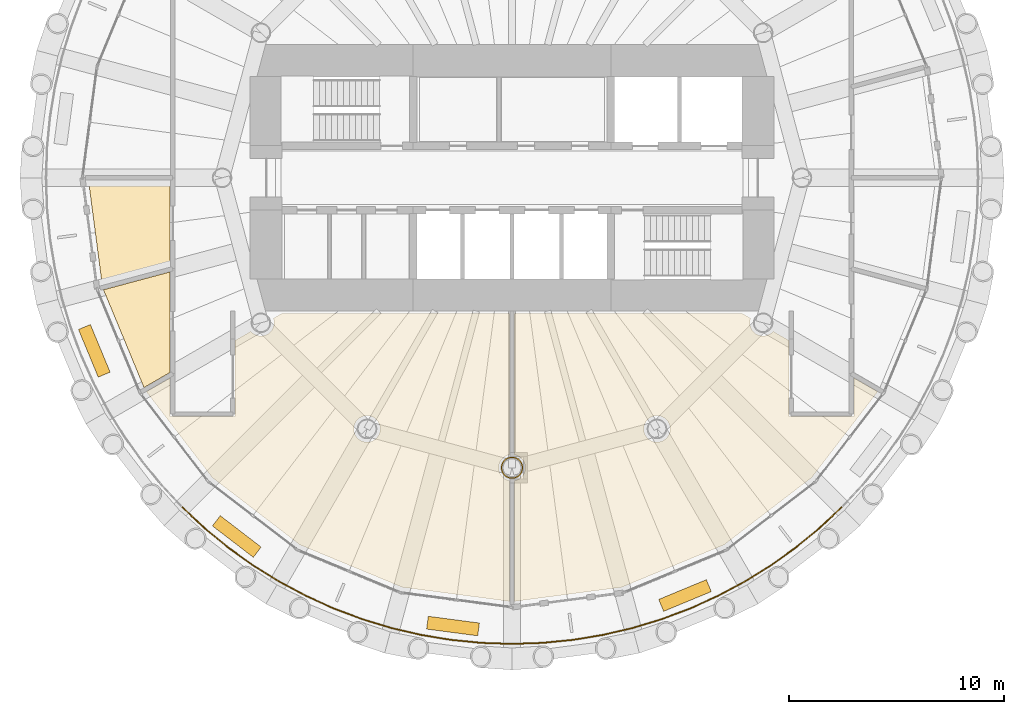
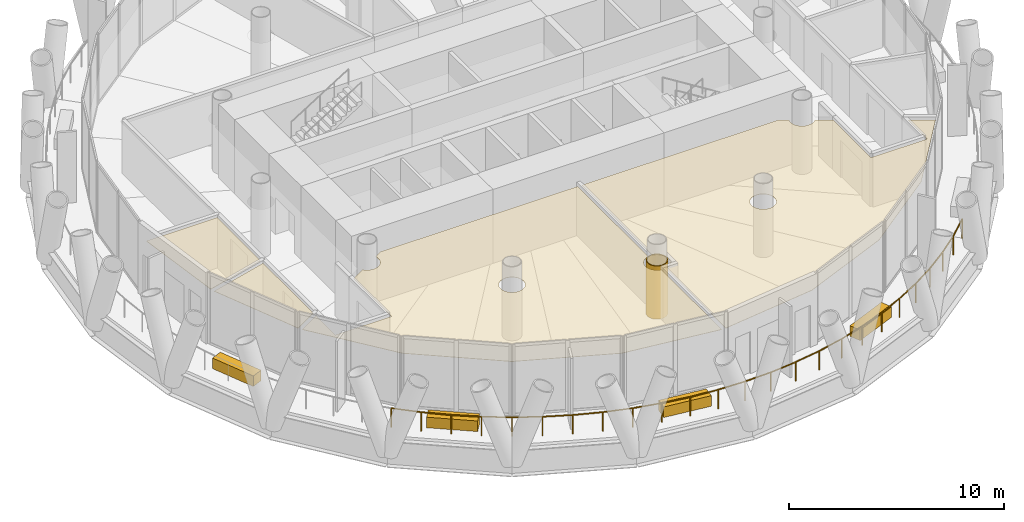
# One storey, part 11 of 13: 9 coverings, 1 railing.
"""IFC4 building model written with IfcOpenShell, lengths in metres."""

from ifc_helpers import new_model, si_unit, direction, frame, origin, origin_2d, place, context, subcontext, project, spatial, polyline, rectangle, circle, outline, extrude, material, layer, layer_set, type_object, element, save


model = new_model("IFC4")

# Units and contexts
model_context = context("Model", 3, precision=1e-05, world=origin(), true_north=direction((0.0, 1.0)))
body_context = subcontext(model_context, "Body", "Model", "MODEL_VIEW")
ifc_project = project(units=[si_unit("LENGTHUNIT", "METRE"), si_unit("AREAUNIT", "SQUARE_METRE"), si_unit("VOLUMEUNIT", "CUBIC_METRE"), si_unit("PLANEANGLEUNIT", "RADIAN"), si_unit("MASSUNIT", "GRAM", prefix="KILO")], contexts=[model_context])

# Site, building, storey
site_placement = place(None, origin())
site = spatial("IfcSite", under=ifc_project, at=site_placement, CompositionType="ELEMENT")
building_placement = place(site_placement, origin())
building = spatial("IfcBuilding", under=site, at=building_placement, Name="Qaws Media Tower", CompositionType="ELEMENT")
storey_placement = place(building_placement, frame((0.0, 0.0, 244.39990234375)))
storey = spatial("IfcBuildingStorey", under=building, at=storey_placement, Name="L56", CompositionType="ELEMENT", Elevation=244.39990234375)

# Railing
ifc_material_1 = material(Name="Stainless steel and glass guard", Category="steel")
railing_type = type_object("IfcRailingType", Name="Balcony guard 1100", PredefinedType="GUARDRAIL", material=ifc_material_1)
railing_placement = place(storey_placement, frame((44.65576171875, 34.65576171875, 0.0)))
element("IfcRailing", 1, at=railing_placement, inside=storey, type_object=railing_type, Name="GR1 balcony guard L56-3", PredefinedType="GUARDRAIL", context=body_context, shape_type="SweptSolid", body=[
    extrude(circle(Radius=0.02392578125, at=origin_2d()), frame((0.0, 0.0, 1.076171875), z_axis=(0.729853467609, -0.683603624785, 0.0), x_axis=(0.683603624785, 0.729853467609, 0.0)), (0.0, 0.0, 1.0), 1.419921875),
    extrude(circle(Radius=0.02392578125, at=origin_2d()), frame((1.036376953125, -0.970703125, 1.076171875), z_axis=(0.772991216558, -0.634416723554, 0.0), x_axis=(0.634416723554, 0.772991216558, 0.0)), (0.0, 0.0, 1.0), 1.419921875),
    extrude(circle(Radius=0.02392578125, at=origin_2d()), frame((2.134033203125, -1.87158203125, 1.076171875), z_axis=(0.812849687149, -0.582473506781, 0.0), x_axis=(0.582473506781, 0.812849687149, 0.0)), (0.0, 0.0, 1.0), 1.420166015625),
    extrude(circle(Radius=0.02392578125, at=origin_2d()), frame((3.288330078125, -2.69873046875, 1.076171875), z_axis=(0.84922281135, -0.528034673751, 0.0), x_axis=(0.528034673751, 0.84922281135, 0.0)), (0.0, 0.0, 1.0), 1.419921875),
    extrude(circle(Radius=0.02392578125, at=origin_2d()), frame((4.494140625, -3.448486328125, 1.076171875), z_axis=(0.881924275223, -0.471391103833, 0.0), x_axis=(0.471391103833, 0.881924275223, 0.0)), (0.0, 0.0, 1.0), 1.420166015625),
    extrude(circle(Radius=0.02392578125, at=origin_2d()), frame((5.74658203125, -4.117919921875, 1.076171875), z_axis=(0.910895658311, -0.412636764807, 0.0), x_axis=(0.412636764807, 0.910895658311, 0.0)), (0.0, 0.0, 1.0), 1.419921875),
    extrude(circle(Radius=0.02392578125, at=origin_2d()), frame((7.0400390625, -4.703857421875, 1.076171875), z_axis=(0.935883258731, -0.352310269546, 0.0), x_axis=(0.352310269546, 0.935883258731, 0.0)), (0.0, 0.0, 1.0), 1.419921875),
    extrude(circle(Radius=0.02392578125, at=origin_2d()), frame((8.368896484375, -5.2041015625, 1.076171875), z_axis=(0.956912997264, -0.290374784833, 0.0), x_axis=(0.290374784833, 0.956912997264, 0.0)), (0.0, 0.0, 1.0), 1.420166015625),
    extrude(circle(Radius=0.02392578125, at=origin_2d()), frame((9.727783203125, -5.616455078125, 1.076171875), z_axis=(0.97391090899, -0.22693069724, 0.0), x_axis=(0.22693069724, 0.97391090899, 0.0)), (0.0, 0.0, 1.0), 1.420166015625),
    extrude(circle(Radius=0.02392578125, at=origin_2d()), frame((11.11083984375, -5.938720703125, 1.076171875), z_axis=(0.986625297851, -0.163004667543, 0.0), x_axis=(0.163004667543, 0.986625297851, 0.0)), (0.0, 0.0, 1.0), 1.419921875),
    extrude(circle(Radius=0.02392578125, at=origin_2d()), frame((12.51171875, -6.170166015625, 1.076171875), z_axis=(0.99518752223, -0.097988752405, 0.0), x_axis=(0.097988752405, 0.99518752223, 0.0)), (0.0, 0.0, 1.0), 1.420166015625),
    extrude(circle(Radius=0.02392578125, at=origin_2d()), frame((13.925048828125, -6.309326171875, 1.076171875), z_axis=(0.999466261228, -0.032667914955, 0.0), x_axis=(0.032667914955, 0.999466261228, 0.0)), (0.0, 0.0, 1.0), 1.419921875),
    extrude(circle(Radius=0.02392578125, at=origin_2d()), frame((15.34423828125, -6.355712890625, 1.076171875), z_axis=(0.999466261228, 0.032667914955, 0.0), x_axis=(-0.032667914955, 0.999466261228, 0.0)), (0.0, 0.0, 1.0), 1.419921875),
    extrude(circle(Radius=0.02392578125, at=origin_2d()), frame((16.763427734375, -6.309326171875, 1.076171875), z_axis=(0.99518752223, 0.097988752405, 0.0), x_axis=(-0.097988752405, 0.99518752223, 0.0)), (0.0, 0.0, 1.0), 1.420166015625),
    extrude(circle(Radius=0.02392578125, at=origin_2d()), frame((18.1767578125, -6.170166015625, 1.076171875), z_axis=(0.986625297851, 0.163004667543, 0.0), x_axis=(-0.163004667543, 0.986625297851, 0.0)), (0.0, 0.0, 1.0), 1.419921875),
    extrude(circle(Radius=0.02392578125, at=origin_2d()), frame((19.57763671875, -5.938720703125, 1.076171875), z_axis=(0.97391090899, 0.22693069724, 0.0), x_axis=(-0.22693069724, 0.97391090899, 0.0)), (0.0, 0.0, 1.0), 1.420166015625),
    extrude(circle(Radius=0.02392578125, at=origin_2d()), frame((20.960693359375, -5.616455078125, 1.076171875), z_axis=(0.956912997264, 0.290374784833, 0.0), x_axis=(-0.290374784833, 0.956912997264, 0.0)), (0.0, 0.0, 1.0), 1.420166015625),
    extrude(circle(Radius=0.02392578125, at=origin_2d()), frame((22.319580078125, -5.2041015625, 1.076171875), z_axis=(0.935883258731, 0.352310269546, 0.0), x_axis=(-0.352310269546, 0.935883258731, 0.0)), (0.0, 0.0, 1.0), 1.419921875),
    extrude(circle(Radius=0.02392578125, at=origin_2d()), frame((23.6484375, -4.703857421875, 1.076171875), z_axis=(0.910895658311, 0.412636764807, 0.0), x_axis=(-0.412636764807, 0.910895658311, 0.0)), (0.0, 0.0, 1.0), 1.419921875),
    extrude(circle(Radius=0.02392578125, at=origin_2d()), frame((24.94189453125, -4.117919921875, 1.076171875), z_axis=(0.881924275223, 0.471391103833, 0.0), x_axis=(-0.471391103833, 0.881924275223, 0.0)), (0.0, 0.0, 1.0), 1.420166015625),
    extrude(circle(Radius=0.02392578125, at=origin_2d()), frame((26.1943359375, -3.448486328125, 1.076171875), z_axis=(0.84922281135, 0.528034673751, 0.0), x_axis=(-0.528034673751, 0.84922281135, 0.0)), (0.0, 0.0, 1.0), 1.419921875),
    extrude(circle(Radius=0.02392578125, at=origin_2d()), frame((27.400146484375, -2.69873046875, 1.076171875), z_axis=(0.812849687149, 0.582473506781, 0.0), x_axis=(-0.582473506781, 0.812849687149, 0.0)), (0.0, 0.0, 1.0), 1.420166015625),
    extrude(circle(Radius=0.02392578125, at=origin_2d()), frame((28.554443359375, -1.87158203125, 1.076171875), z_axis=(0.772991216558, 0.634416723554, 0.0), x_axis=(-0.634416723554, 0.772991216558, 0.0)), (0.0, 0.0, 1.0), 1.419921875),
    extrude(circle(Radius=0.02392578125, at=origin_2d()), frame((29.652099609375, -0.970703125, 1.076171875), z_axis=(0.729853467609, 0.683603624785, 0.0), x_axis=(-0.683603624785, 0.729853467609, 0.0)), (0.0, 0.0, 1.0), 1.419921875),
    extrude(circle(Radius=0.02099609375, at=origin_2d()), origin(), (0.0, 0.0, 1.0), 1.052001953125),
    extrude(circle(Radius=0.02099609375, at=origin_2d()), frame((1.036376953125, -0.970703125, 0.0)), (0.0, 0.0, 1.0), 1.052001953125),
    extrude(circle(Radius=0.02099609375, at=origin_2d()), frame((2.134033203125, -1.87158203125, 0.0)), (0.0, 0.0, 1.0), 1.052001953125),
    extrude(circle(Radius=0.02099609375, at=origin_2d()), frame((3.288330078125, -2.69873046875, 0.0)), (0.0, 0.0, 1.0), 1.052001953125),
    extrude(circle(Radius=0.02099609375, at=origin_2d()), frame((4.494140625, -3.448486328125, 0.0)), (0.0, 0.0, 1.0), 1.052001953125),
    extrude(circle(Radius=0.02099609375, at=origin_2d()), frame((5.74658203125, -4.117919921875, 0.0)), (0.0, 0.0, 1.0), 1.052001953125),
    extrude(circle(Radius=0.02099609375, at=origin_2d()), frame((7.0400390625, -4.703857421875, 0.0)), (0.0, 0.0, 1.0), 1.052001953125),
    extrude(circle(Radius=0.02099609375, at=origin_2d()), frame((8.368896484375, -5.2041015625, 0.0)), (0.0, 0.0, 1.0), 1.052001953125),
    extrude(circle(Radius=0.02099609375, at=origin_2d()), frame((9.727783203125, -5.616455078125, 0.0)), (0.0, 0.0, 1.0), 1.052001953125),
    extrude(circle(Radius=0.02099609375, at=origin_2d()), frame((11.11083984375, -5.938720703125, 0.0)), (0.0, 0.0, 1.0), 1.052001953125),
    extrude(circle(Radius=0.02099609375, at=origin_2d()), frame((12.51171875, -6.170166015625, 0.0)), (0.0, 0.0, 1.0), 1.052001953125),
    extrude(circle(Radius=0.02099609375, at=origin_2d()), frame((13.925048828125, -6.309326171875, 0.0)), (0.0, 0.0, 1.0), 1.052001953125),
    extrude(circle(Radius=0.02099609375, at=origin_2d()), frame((15.34423828125, -6.355712890625, 0.0)), (0.0, 0.0, 1.0), 1.052001953125),
    extrude(circle(Radius=0.02099609375, at=origin_2d()), frame((16.763427734375, -6.309326171875, 0.0)), (0.0, 0.0, 1.0), 1.052001953125),
    extrude(circle(Radius=0.02099609375, at=origin_2d()), frame((18.1767578125, -6.170166015625, 0.0)), (0.0, 0.0, 1.0), 1.052001953125),
    extrude(circle(Radius=0.02099609375, at=origin_2d()), frame((19.57763671875, -5.938720703125, 0.0)), (0.0, 0.0, 1.0), 1.052001953125),
    extrude(circle(Radius=0.02099609375, at=origin_2d()), frame((20.960693359375, -5.616455078125, 0.0)), (0.0, 0.0, 1.0), 1.052001953125),
    extrude(circle(Radius=0.02099609375, at=origin_2d()), frame((22.319580078125, -5.2041015625, 0.0)), (0.0, 0.0, 1.0), 1.052001953125),
    extrude(circle(Radius=0.02099609375, at=origin_2d()), frame((23.6484375, -4.703857421875, 0.0)), (0.0, 0.0, 1.0), 1.052001953125),
    extrude(circle(Radius=0.02099609375, at=origin_2d()), frame((24.94189453125, -4.117919921875, 0.0)), (0.0, 0.0, 1.0), 1.052001953125),
    extrude(circle(Radius=0.02099609375, at=origin_2d()), frame((26.1943359375, -3.448486328125, 0.0)), (0.0, 0.0, 1.0), 1.052001953125),
    extrude(circle(Radius=0.02099609375, at=origin_2d()), frame((27.400146484375, -2.69873046875, 0.0)), (0.0, 0.0, 1.0), 1.052001953125),
    extrude(circle(Radius=0.02099609375, at=origin_2d()), frame((28.554443359375, -1.87158203125, 0.0)), (0.0, 0.0, 1.0), 1.052001953125),
    extrude(circle(Radius=0.02099609375, at=origin_2d()), frame((29.652099609375, -0.970703125, 0.0)), (0.0, 0.0, 1.0), 1.052001953125),
    extrude(circle(Radius=0.02099609375, at=origin_2d()), frame((30.6884765625, 0.0, 0.0)), (0.0, 0.0, 1.0), 1.052001953125),
])

# Coverings
ifc_material_2 = material(Name="Two layers 15 fire-rated gypsum board on steel framing", Category="steel")
ifc_layer_1 = layer(ifc_material_2, 0.050048828125)
ifc_layer_set_1 = layer_set([ifc_layer_1], Name="Column fire casing")
covering_type_1 = type_object("IfcCoveringType", Name="Column fire casing", PredefinedType="CLADDING", material=ifc_layer_set_1)
covering_1_placement = place(storey_placement, origin())
element("IfcCovering", 2, at=covering_1_placement, inside=storey, type_object=covering_type_1, Name="CC1 column casing L56", PredefinedType="CLADDING", context=body_context, shape_type="SweptSolid", body=[
    extrude(outline(polyline([(60.511962890625, 36.5), (60.507568359375, 36.43310546875), (60.49462890625, 36.367431640625), (60.472900390625, 36.30419921875), (60.443359375, 36.243896484375), (60.40625, 36.188232421875), (60.362060546875, 36.137939453125), (60.311767578125, 36.09375), (60.256103515625, 36.056640625), (60.19580078125, 36.027099609375), (60.132568359375, 36.00537109375), (60.06689453125, 35.992431640625), (60.0, 35.988037109375), (59.93310546875, 35.992431640625), (59.867431640625, 36.00537109375), (59.80419921875, 36.027099609375), (59.743896484375, 36.056640625), (59.688232421875, 36.09375), (59.637939453125, 36.137939453125), (59.59375, 36.188232421875), (59.556640625, 36.243896484375), (59.527099609375, 36.30419921875), (59.50537109375, 36.367431640625), (59.492431640625, 36.43310546875), (59.488037109375, 36.5), (59.492431640625, 36.56689453125), (59.50537109375, 36.632568359375), (59.527099609375, 36.69580078125), (59.556640625, 36.756103515625), (59.59375, 36.811767578125), (59.637939453125, 36.862060546875), (59.688232421875, 36.90625), (59.743896484375, 36.943359375), (59.80419921875, 36.972900390625), (59.867431640625, 36.99462890625), (59.93310546875, 37.007568359375), (60.0, 37.011962890625), (60.06689453125, 37.007568359375), (60.132568359375, 36.99462890625), (60.19580078125, 36.972900390625), (60.256103515625, 36.943359375), (60.311767578125, 36.90625), (60.362060546875, 36.862060546875), (60.40625, 36.811767578125), (60.443359375, 36.756103515625), (60.472900390625, 36.69580078125), (60.49462890625, 36.632568359375), (60.507568359375, 36.56689453125), (60.511962890625, 36.5)]), holes=[polyline([(60.4599609375, 36.5), (60.4560546875, 36.43994140625), (60.4443359375, 36.380859375), (60.425048828125, 36.323974609375), (60.3984375, 36.27001953125), (60.364990234375, 36.219970703125), (60.3251953125, 36.1748046875), (60.280029296875, 36.135009765625), (60.22998046875, 36.1015625), (60.176025390625, 36.074951171875), (60.119140625, 36.0556640625), (60.06005859375, 36.0439453125), (60.0, 36.0400390625), (59.93994140625, 36.0439453125), (59.880859375, 36.0556640625), (59.823974609375, 36.074951171875), (59.77001953125, 36.1015625), (59.719970703125, 36.135009765625), (59.6748046875, 36.1748046875), (59.635009765625, 36.219970703125), (59.6015625, 36.27001953125), (59.574951171875, 36.323974609375), (59.5556640625, 36.380859375), (59.5439453125, 36.43994140625), (59.5400390625, 36.5), (59.5439453125, 36.56005859375), (59.5556640625, 36.619140625), (59.574951171875, 36.676025390625), (59.6015625, 36.72998046875), (59.635009765625, 36.780029296875), (59.6748046875, 36.8251953125), (59.719970703125, 36.864990234375), (59.77001953125, 36.8984375), (59.823974609375, 36.925048828125), (59.880859375, 36.9443359375), (59.93994140625, 36.9560546875), (60.0, 36.9599609375), (60.06005859375, 36.9560546875), (60.119140625, 36.9443359375), (60.176025390625, 36.925048828125), (60.22998046875, 36.8984375), (60.280029296875, 36.864990234375), (60.3251953125, 36.8251953125), (60.364990234375, 36.780029296875), (60.3984375, 36.72998046875), (60.425048828125, 36.676025390625), (60.4443359375, 36.619140625), (60.4560546875, 36.56005859375), (60.4599609375, 36.5)])]), origin(), (0.0, 0.0, 1.0), 3.02001953125),
])
ifc_material_3 = material(Name="600 x 600 mineral fibre tiles in exposed grid, suspended", Category="mineral fibre")
ifc_layer_2 = layer(ifc_material_3, 0.02001953125)
ifc_layer_set_2 = layer_set([ifc_layer_2], Name="Mineral fibre tile ceiling 20")
covering_type_2 = type_object("IfcCoveringType", Name="Mineral fibre tile ceiling 20", PredefinedType="CEILING", material=ifc_layer_set_2)
covering_2_placement = place(storey_placement, frame((0.0, 0.0, 2.85009765625)))
element("IfcCovering", 3, at=covering_2_placement, inside=storey, type_object=covering_type_2, Name="CL1 ceiling L56-08 Office", PredefinedType="CEILING", context=body_context, shape_type="SweptSolid", body=[
    extrude(outline(polyline([(40.980712890625, 44.787353515625), (44.08740234375, 45.619873046875), (44.08740234375, 40.94287109375), (42.865478515625, 40.2373046875), (40.980712890625, 44.787353515625)])), origin(), (0.0, 0.0, 1.0), 0.02001953125),
])
covering_3_placement = place(storey_placement, frame((0.0, 0.0, 2.85009765625)))
element("IfcCovering", 4, at=covering_3_placement, inside=storey, type_object=covering_type_2, Name="CL1 ceiling L56-09 Tenant office", PredefinedType="CEILING", context=body_context, shape_type="SweptSolid", body=[
    extrude(outline(polyline([(54.89208984375, 30.937255859375), (50.13232421875, 32.90869140625), (46.045166015625, 36.045166015625), (42.977783203125, 40.04248046875), (44.08740234375, 40.68310546875), (44.08740234375, 38.887451171875), (47.112548828125, 38.887451171875), (47.112548828125, 42.429443359375), (47.840576171875, 42.849853515625), (47.872314453125, 42.813720703125), (47.93310546875, 42.760498046875), (48.000244140625, 42.7158203125), (48.072509765625, 42.679931640625), (48.14892578125, 42.654052734375), (48.22802734375, 42.63818359375), (48.30859375, 42.633056640625), (48.38916015625, 42.63818359375), (48.46826171875, 42.654052734375), (48.544921875, 42.679931640625), (48.6171875, 42.7158203125), (48.684326171875, 42.760498046875), (48.744873046875, 42.813720703125), (48.798095703125, 42.87451171875), (48.843017578125, 42.94140625), (48.878662109375, 43.013916015625), (48.904541015625, 43.09033203125), (48.92041015625, 43.16943359375), (48.92578125, 43.25), (48.92041015625, 43.33056640625), (48.904541015625, 43.40966796875), (48.88916015625, 43.455322265625), (49.29150390625, 43.6875), (59.887451171875, 43.6875), (59.887451171875, 37.10546875), (59.84033203125, 37.095947265625), (59.763916015625, 37.070068359375), (59.69140625, 37.0341796875), (59.62451171875, 36.989501953125), (59.563720703125, 36.936279296875), (59.510498046875, 36.87548828125), (59.4658203125, 36.80859375), (59.429931640625, 36.736083984375), (59.404052734375, 36.65966796875), (59.38818359375, 36.58056640625), (59.383056640625, 36.5), (59.38818359375, 36.41943359375), (59.404052734375, 36.34033203125), (59.429931640625, 36.263916015625), (59.4658203125, 36.19140625), (59.510498046875, 36.12451171875), (59.563720703125, 36.063720703125), (59.62451171875, 36.010498046875), (59.69140625, 35.9658203125), (59.763916015625, 35.929931640625), (59.84033203125, 35.904052734375), (59.887451171875, 35.89453125), (59.887451171875, 30.279541015625), (54.89208984375, 30.937255859375)]), holes=[polyline([(53.845947265625, 38.14892578125), (53.86181640625, 38.22802734375), (53.866943359375, 38.30859375), (53.86181640625, 38.38916015625), (53.845947265625, 38.46826171875), (53.820068359375, 38.544921875), (53.7841796875, 38.6171875), (53.739501953125, 38.684326171875), (53.686279296875, 38.744873046875), (53.62548828125, 38.798095703125), (53.55859375, 38.843017578125), (53.486083984375, 38.878662109375), (53.40966796875, 38.904541015625), (53.33056640625, 38.92041015625), (53.25, 38.92578125), (53.16943359375, 38.92041015625), (53.09033203125, 38.904541015625), (53.013916015625, 38.878662109375), (52.94140625, 38.843017578125), (52.87451171875, 38.798095703125), (52.813720703125, 38.744873046875), (52.760498046875, 38.684326171875), (52.7158203125, 38.6171875), (52.679931640625, 38.544921875), (52.654052734375, 38.46826171875), (52.63818359375, 38.38916015625), (52.633056640625, 38.30859375), (52.63818359375, 38.22802734375), (52.654052734375, 38.14892578125), (52.679931640625, 38.072509765625), (52.7158203125, 38.000244140625), (52.760498046875, 37.93310546875), (52.813720703125, 37.872314453125), (52.87451171875, 37.819091796875), (52.94140625, 37.7744140625), (53.013916015625, 37.738525390625), (53.09033203125, 37.712646484375), (53.16943359375, 37.697021484375), (53.25, 37.691650390625), (53.33056640625, 37.697021484375), (53.40966796875, 37.712646484375), (53.486083984375, 37.738525390625), (53.55859375, 37.7744140625), (53.62548828125, 37.819091796875), (53.686279296875, 37.872314453125), (53.739501953125, 37.93310546875), (53.7841796875, 38.000244140625), (53.820068359375, 38.072509765625), (53.845947265625, 38.14892578125)])]), origin(), (0.0, 0.0, 1.0), 0.02001953125),
])
covering_4_placement = place(storey_placement, frame((0.0, 0.0, 2.85009765625)))
element("IfcCovering", 5, at=covering_4_placement, inside=storey, type_object=covering_type_2, Name="CL1 ceiling L56-10 Tenant office", PredefinedType="CEILING", context=body_context, shape_type="SweptSolid", body=[
    extrude(outline(polyline([(72.887451171875, 38.887451171875), (75.91259765625, 38.887451171875), (75.91259765625, 40.68310546875), (77.022216796875, 40.04248046875), (73.954833984375, 36.045166015625), (69.86767578125, 32.90869140625), (65.10791015625, 30.937255859375), (60.112548828125, 30.279541015625), (60.112548828125, 35.89453125), (60.15966796875, 35.904052734375), (60.236083984375, 35.929931640625), (60.30859375, 35.9658203125), (60.37548828125, 36.010498046875), (60.436279296875, 36.063720703125), (60.489501953125, 36.12451171875), (60.5341796875, 36.19140625), (60.570068359375, 36.263916015625), (60.595947265625, 36.34033203125), (60.61181640625, 36.41943359375), (60.616943359375, 36.5), (60.61181640625, 36.58056640625), (60.595947265625, 36.65966796875), (60.570068359375, 36.736083984375), (60.5341796875, 36.80859375), (60.489501953125, 36.87548828125), (60.436279296875, 36.936279296875), (60.37548828125, 36.989501953125), (60.30859375, 37.0341796875), (60.236083984375, 37.070068359375), (60.15966796875, 37.095947265625), (60.112548828125, 37.10546875), (60.112548828125, 43.6875), (70.70849609375, 43.6875), (71.11083984375, 43.455322265625), (71.095458984375, 43.40966796875), (71.07958984375, 43.33056640625), (71.07421875, 43.25), (71.07958984375, 43.16943359375), (71.095458984375, 43.09033203125), (71.121337890625, 43.013916015625), (71.156982421875, 42.94140625), (71.201904296875, 42.87451171875), (71.255126953125, 42.813720703125), (71.315673828125, 42.760498046875), (71.3828125, 42.7158203125), (71.455078125, 42.679931640625), (71.53173828125, 42.654052734375), (71.61083984375, 42.63818359375), (71.69140625, 42.633056640625), (71.77197265625, 42.63818359375), (71.85107421875, 42.654052734375), (71.927490234375, 42.679931640625), (71.999755859375, 42.7158203125), (72.06689453125, 42.760498046875), (72.127685546875, 42.813720703125), (72.159423828125, 42.849853515625), (72.887451171875, 42.429443359375), (72.887451171875, 38.887451171875)]), holes=[polyline([(67.320068359375, 38.072509765625), (67.345947265625, 38.14892578125), (67.36181640625, 38.22802734375), (67.366943359375, 38.30859375), (67.36181640625, 38.38916015625), (67.345947265625, 38.46826171875), (67.320068359375, 38.544921875), (67.2841796875, 38.6171875), (67.239501953125, 38.684326171875), (67.186279296875, 38.744873046875), (67.12548828125, 38.798095703125), (67.05859375, 38.843017578125), (66.986083984375, 38.878662109375), (66.90966796875, 38.904541015625), (66.83056640625, 38.92041015625), (66.75, 38.92578125), (66.66943359375, 38.92041015625), (66.59033203125, 38.904541015625), (66.513916015625, 38.878662109375), (66.44140625, 38.843017578125), (66.37451171875, 38.798095703125), (66.313720703125, 38.744873046875), (66.260498046875, 38.684326171875), (66.2158203125, 38.6171875), (66.179931640625, 38.544921875), (66.154052734375, 38.46826171875), (66.13818359375, 38.38916015625), (66.133056640625, 38.30859375), (66.13818359375, 38.22802734375), (66.154052734375, 38.14892578125), (66.179931640625, 38.072509765625), (66.2158203125, 38.000244140625), (66.260498046875, 37.93310546875), (66.313720703125, 37.872314453125), (66.37451171875, 37.819091796875), (66.44140625, 37.7744140625), (66.513916015625, 37.738525390625), (66.59033203125, 37.712646484375), (66.66943359375, 37.697021484375), (66.75, 37.691650390625), (66.83056640625, 37.697021484375), (66.90966796875, 37.712646484375), (66.986083984375, 37.738525390625), (67.05859375, 37.7744140625), (67.12548828125, 37.819091796875), (67.186279296875, 37.872314453125), (67.239501953125, 37.93310546875), (67.2841796875, 38.000244140625), (67.320068359375, 38.072509765625)])]), origin(), (0.0, 0.0, 1.0), 0.02001953125),
])
ifc_material_4 = material(Name="Precast concrete planter with trailing planting", Category="concrete")
ifc_layer_3 = layer(ifc_material_4, 0.60009765625)
ifc_layer_set_3 = layer_set([ifc_layer_3], Name="Planter 2400x600")
covering_type_3 = type_object("IfcCoveringType", Name="Planter 2400x600", PredefinedType="USERDEFINED", material=ifc_layer_set_3)
for number, where, z_axis, x_axis, name in (
    (6, (40.55224609375, 41.944580078125, 0.0), (0.0, 0.0, 1.0), (0.382683432365, -0.923879532511, 0.0), "PL1 balcony planter L56-07"),
    (7, (47.185546875, 33.2998046875, 0.0), (0.0, 0.0, 1.0), (0.793353340291, -0.608761429009, 0.0), "PL1 balcony planter L56-08"),
    (8, (57.25244140625, 29.130126953125, 0.0), (0.0, 0.0, 1.0), (0.991444861374, -0.13052619222, 0.0), "PL1 balcony planter L56-09"),
    (9, (68.055419921875, 30.55224609375, 0.0), (0.0, 0.0, 1.0), (0.923879532511, 0.382683432365, 0.0), "PL1 balcony planter L56-10"),
):
    element("IfcCovering", number, at=place(storey_placement, frame(where, z_axis=z_axis, x_axis=x_axis)), inside=storey, type_object=covering_type_3, Name=name, ObjectType="PLANTER", PredefinedType="USERDEFINED", context=body_context, shape_type="SweptSolid", body=[
        extrude(rectangle(XDim=2.39990234375, YDim=0.60009765625, at=origin_2d()), origin(), (0.0, 0.0, 1.0), 0.60009765625),
    ])
ifc_material_5 = material(Name="Two layers 12.5 moisture-resistant plasterboard on suspended metal furring", Category="gypsum")
ifc_layer_4 = layer(ifc_material_5, 0.02490234375)
ifc_layer_set_4 = layer_set([ifc_layer_4], Name="Plasterboard ceiling 25")
covering_type_4 = type_object("IfcCoveringType", Name="Plasterboard ceiling 25", PredefinedType="CEILING", material=ifc_layer_set_4)
covering_5_placement = place(storey_placement, frame((0.0, 0.0, 2.85009765625)))
element("IfcCovering", 10, at=covering_5_placement, inside=storey, type_object=covering_type_4, Name="CL2 ceiling L56-07 Tenant reception", PredefinedType="CEILING", context=body_context, shape_type="SweptSolid", body=[
    extrude(outline(polyline([(40.279541015625, 49.887451171875), (44.08740234375, 49.887451171875), (44.08740234375, 45.852783203125), (40.92236328125, 45.004638671875), (40.279541015625, 49.887451171875)])), origin(), (0.0, 0.0, 1.0), 0.02490234375),
])

save(model, "model.ifc")
